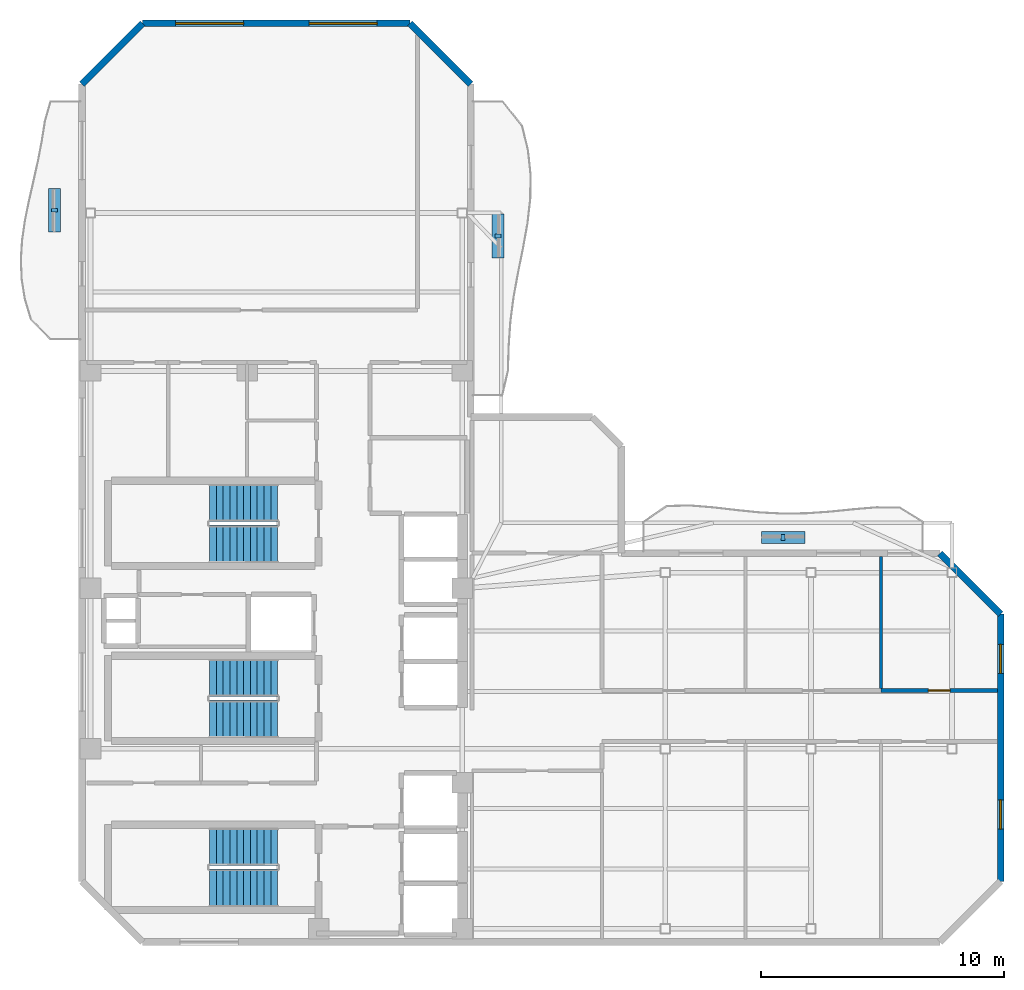
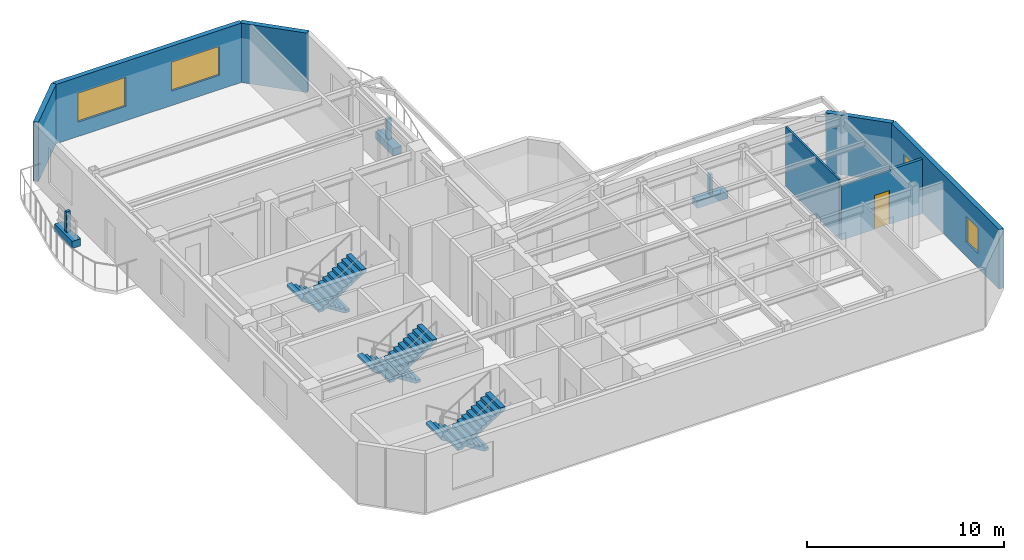
# One storey, part 5 of 7: 7 walls, 6 discrete accessories, 6 stair flights, 4 windows, 1 door, 5 openings, 3 elements without a shape of their own.
"""IFC4 building model written with IfcOpenShell, lengths in metres."""

from ifc_helpers import new_model, si_unit, direction, frame, frame_2d, origin, origin_2d, place, context, subcontext, project, spatial, polyline, rectangle, outline, extrude, material, layer, layer_set, type_object, element, fill, aggregate, save


model = new_model("IFC4")

# Units and contexts
model_context = context("Model", 3, precision=1e-05, world=origin(), true_north=direction((0.0, 1.0)))
body_context = subcontext(model_context, "Body", "Model", "MODEL_VIEW")
ifc_project = project(units=[si_unit("LENGTHUNIT", "METRE"), si_unit("AREAUNIT", "SQUARE_METRE"), si_unit("VOLUMEUNIT", "CUBIC_METRE"), si_unit("PLANEANGLEUNIT", "RADIAN"), si_unit("MASSUNIT", "GRAM", prefix="KILO")], contexts=[model_context])

# Site, building, storey
site_placement = place(None, origin())
site = spatial("IfcSite", under=ifc_project, at=site_placement, CompositionType="ELEMENT")
building_placement = place(site_placement, origin())
building = spatial("IfcBuilding", under=site, at=building_placement, Name="Mawjaban Terraces University", CompositionType="ELEMENT")
storey_placement = place(building_placement, frame((0.0, 0.0, 287.199951171875)))
storey = spatial("IfcBuildingStorey", under=building, at=storey_placement, Name="L70", CompositionType="ELEMENT", Elevation=287.199951171875)

# Wall, opening, door
ifc_material_1 = material(Name="Fire-rated gypsum board on steel stud", Category="steel")
ifc_layer_1 = layer(ifc_material_1, 0.159912109375)
ifc_layer_set_1 = layer_set([ifc_layer_1], Name="Fire-rated gypsum board on steel stud")
wall_type_1 = type_object("IfcWallType", Name="CorridorPartition_160", PredefinedType="PARTITIONING", material=ifc_layer_set_1)
wall_1_placement = place(storey_placement, frame((59.6669921875, 10.35009765625, 0.0), z_axis=(0.0, 0.0, 1.0), x_axis=(-1.0, 0.0, 0.0)))
wall_1 = element("IfcWall", 1, at=wall_1_placement, inside=storey, type_object=wall_type_1, Name="L70 Upper East Research Corridor Partition 22", PredefinedType="PARTITIONING", context=body_context, shape_type="SweptSolid", body=[
    extrude(rectangle(XDim=4.787109375, YDim=0.159912109375, at=frame_2d((2.3935546875, 0.0))), origin(), (0.0, 0.0, 1.0), 3.3720703125),
])
opening_1_placement = place(wall_1_placement, frame((1.943115234375, 0.0, 0.0)))
opening_1 = element("IfcOpeningElement", 2, at=opening_1_placement, cuts=wall_1, Name="Opening ID-090", PredefinedType="OPENING", context=body_context, shape_type="SweptSolid", body=[
    extrude(rectangle(XDim=0.89990234375, YDim=2.10009765625, at=frame_2d((0.449951171875, 1.050048828125))), frame((0.0, 0.08984375, 0.0), z_axis=(0.0, -1.0, 0.0), x_axis=(1.0, 0.0, 0.0)), (0.0, 0.0, 1.0), 0.179931640625),
])
ifc_material_2 = material(Name="Powder-coated steel frame and solid acoustic timber leaf", Category="steel")
door_type = type_object("IfcDoorType", Name="OfficeDoor_900x2100", OperationType="NOTDEFINED", PredefinedType="DOOR", material=ifc_material_2)
door_placement = place(opening_1_placement, origin())
door = element("IfcDoor", 3, at=door_placement, inside=storey, type_object=door_type, Name="L70 Seminar Room 7 Door", OperationType="SINGLE_SWING_LEFT", OverallHeight=2.10009765625, OverallWidth=0.89990234375, PredefinedType="DOOR", context=body_context, shape_type="SweptSolid", body=[
    extrude(rectangle(XDim=0.89990234375, YDim=2.10009765625, at=frame_2d((0.449951171875, 1.050048828125))), frame((0.0, 0.02490234375, 0.0), z_axis=(0.0, -1.0, 0.0), x_axis=(1.0, 0.0, 0.0)), (0.0, 0.0, 1.0), 0.050048828125),
])
fill(opening_1, door)

# Wall, openings, windows
ifc_material_3 = material(Name="Insulated terracotta rainscreen on concrete backup C40/50", Category="masonry")
ifc_layer_2 = layer(ifc_material_3, 0.27490234375)
ifc_layer_set_2 = layer_set([ifc_layer_2], Name="Insulated terracotta rainscreen on concrete backup C40/50")
wall_type_2 = type_object("IfcWallType", Name="ExtTerracottaWall_275", PredefinedType="SOLIDWALL", material=ifc_layer_set_2)
wall_2_placement = place(storey_placement, frame((59.800048828125, 2.5, 0.0), z_axis=(0.0, 0.0, 1.0), x_axis=(0.0, 1.0, 0.0)))
wall_2 = element("IfcWall", 4, at=wall_2_placement, inside=storey, type_object=wall_type_2, Name="L70 Exterior Terracotta Wall 3", PredefinedType="SOLIDWALL", context=body_context, shape_type="SweptSolid", body=[
    extrude(rectangle(XDim=11.0, YDim=0.27490234375, at=frame_2d((5.5, 0.0))), origin(), (0.0, 0.0, 1.0), 3.68994140625),
])
opening_2_placement = place(wall_2_placement, frame((2.14990234375, 0.0, 0.89990234375)))
opening_2 = element("IfcOpeningElement", 5, at=opening_2_placement, cuts=wall_2, Name="Opening W-01", PredefinedType="OPENING", context=body_context, shape_type="SweptSolid", body=[
    extrude(rectangle(XDim=1.199951171875, YDim=1.60009765625, at=frame_2d((0.60009765625, 0.800048828125))), frame((0.0, 0.1474609375, 0.0), z_axis=(0.0, -1.0, 0.0), x_axis=(1.0, 0.0, 0.0)), (0.0, 0.0, 1.0), 0.294921875),
])
opening_3_placement = place(wall_2_placement, frame((8.550048828125, 0.0, 0.89990234375)))
opening_3 = element("IfcOpeningElement", 6, at=opening_3_placement, cuts=wall_2, Name="Opening W-01", PredefinedType="OPENING", context=body_context, shape_type="SweptSolid", body=[
    extrude(rectangle(XDim=1.199951171875, YDim=1.60009765625, at=frame_2d((0.60009765625, 0.800048828125))), frame((0.0, 0.1474609375, 0.0), z_axis=(0.0, -1.0, 0.0), x_axis=(1.0, 0.0, 0.0)), (0.0, 0.0, 1.0), 0.294921875),
])
ifc_material_4 = material(Name="Low-E solar-control double glazing in thermally broken aluminium frame", Category="aluminium")
window_type_1 = type_object("IfcWindowType", Name="Win_1200x1600", PartitioningType="SINGLE_PANEL", PredefinedType="WINDOW", material=ifc_material_4)
window_1_placement = place(opening_2_placement, origin())
window_1 = element("IfcWindow", 7, at=window_1_placement, inside=storey, type_object=window_type_1, Name="L70 Facade Window 3.1", OverallHeight=1.60009765625, OverallWidth=1.199951171875, PartitioningType="SINGLE_PANEL", PredefinedType="WINDOW", context=body_context, shape_type="SweptSolid", body=[
    extrude(rectangle(XDim=1.199951171875, YDim=1.60009765625, at=frame_2d((0.60009765625, 0.800048828125))), frame((0.0, 0.030029296875, 0.0), z_axis=(0.0, -1.0, 0.0), x_axis=(1.0, 0.0, 0.0)), (0.0, 0.0, 1.0), 0.06005859375),
])
fill(opening_2, window_1)
window_2_placement = place(opening_3_placement, origin())
window_2 = element("IfcWindow", 8, at=window_2_placement, inside=storey, type_object=window_type_1, Name="L70 Facade Window 3.2", OverallHeight=1.60009765625, OverallWidth=1.199951171875, PartitioningType="SINGLE_PANEL", PredefinedType="WINDOW", context=body_context, shape_type="SweptSolid", body=[
    extrude(rectangle(XDim=1.199951171875, YDim=1.60009765625, at=frame_2d((0.60009765625, 0.800048828125))), frame((0.0, 0.030029296875, 0.0), z_axis=(0.0, -1.0, 0.0), x_axis=(1.0, 0.0, 0.0)), (0.0, 0.0, 1.0), 0.06005859375),
])
fill(opening_3, window_2)

# Walls
for number, where, z_axis, x_axis, name in (
    (9, (59.800048828125, 13.5, 0.0), (0.0, 0.0, 1.0), (-0.707106781187, 0.707106781187, 0.0), "L70 Exterior Terracotta Wall 4"),
    (10, (38.0, 35.300048828125, 0.0), (0.0, 0.0, 1.0), (-0.707106781187, 0.707106781187, 0.0), "L70 Exterior Terracotta Wall 10"),
):
    element("IfcWall", number, at=place(storey_placement, frame(where, z_axis=z_axis, x_axis=x_axis)), inside=storey, type_object=wall_type_2, Name=name, PredefinedType="SOLIDWALL", context=body_context, shape_type="SweptSolid", body=[
        extrude(rectangle(XDim=3.53564453125, YDim=0.27490234375, at=frame_2d((1.767822265625, 0.0))), origin(), (0.0, 0.0, 1.0), 3.68994140625),
    ])

# Wall, openings, windows
wall_3_placement = place(storey_placement, frame((35.5, 37.800048828125, 0.0), z_axis=(0.0, 0.0, 1.0), x_axis=(-1.0, 0.0, 0.0)))
wall_3 = element("IfcWall", 11, at=wall_3_placement, inside=storey, type_object=wall_type_2, Name="L70 Exterior Terracotta Wall 11", PredefinedType="SOLIDWALL", context=body_context, shape_type="SweptSolid", body=[
    extrude(rectangle(XDim=11.0, YDim=0.27490234375, at=frame_2d((5.5, 0.0))), origin(), (0.0, 0.0, 1.0), 3.68994140625),
])
opening_4_placement = place(wall_3_placement, frame((1.35009765625, 0.0, 0.89990234375)))
opening_4 = element("IfcOpeningElement", 12, at=opening_4_placement, cuts=wall_3, Name="Opening W-09", PredefinedType="OPENING", context=body_context, shape_type="SweptSolid", body=[
    extrude(rectangle(XDim=2.800048828125, YDim=1.800048828125, at=frame_2d((1.39990234375, 0.89990234375))), frame((0.0, 0.1474609375, 0.0), z_axis=(0.0, -1.0, 0.0), x_axis=(1.0, 0.0, 0.0)), (0.0, 0.0, 1.0), 0.294921875),
])
opening_5_placement = place(wall_3_placement, frame((6.85009765625, 0.0, 0.89990234375)))
opening_5 = element("IfcOpeningElement", 13, at=opening_5_placement, cuts=wall_3, Name="Opening W-09", PredefinedType="OPENING", context=body_context, shape_type="SweptSolid", body=[
    extrude(rectangle(XDim=2.800048828125, YDim=1.800048828125, at=frame_2d((1.39990234375, 0.89990234375))), frame((0.0, 0.1474609375, 0.0), z_axis=(0.0, -1.0, 0.0), x_axis=(1.0, 0.0, 0.0)), (0.0, 0.0, 1.0), 0.294921875),
])
window_type_2 = type_object("IfcWindowType", Name="Win_2800x1800", PartitioningType="SINGLE_PANEL", PredefinedType="WINDOW", material=ifc_material_4)
window_3_placement = place(opening_4_placement, origin())
window_3 = element("IfcWindow", 14, at=window_3_placement, inside=storey, type_object=window_type_2, Name="L70 Facade Window 11.1", OverallHeight=1.800048828125, OverallWidth=2.800048828125, PartitioningType="SINGLE_PANEL", PredefinedType="WINDOW", context=body_context, shape_type="SweptSolid", body=[
    extrude(rectangle(XDim=2.800048828125, YDim=1.800048828125, at=frame_2d((1.39990234375, 0.89990234375))), frame((0.0, 0.030029296875, 0.0), z_axis=(0.0, -1.0, 0.0), x_axis=(1.0, 0.0, 0.0)), (0.0, 0.0, 1.0), 0.06005859375),
])
fill(opening_4, window_3)
window_4_placement = place(opening_5_placement, origin())
window_4 = element("IfcWindow", 15, at=window_4_placement, inside=storey, type_object=window_type_2, Name="L70 Facade Window 11.2", OverallHeight=1.800048828125, OverallWidth=2.800048828125, PartitioningType="SINGLE_PANEL", PredefinedType="WINDOW", context=body_context, shape_type="SweptSolid", body=[
    extrude(rectangle(XDim=2.800048828125, YDim=1.800048828125, at=frame_2d((1.39990234375, 0.89990234375))), frame((0.0, 0.030029296875, 0.0), z_axis=(0.0, -1.0, 0.0), x_axis=(1.0, 0.0, 0.0)), (0.0, 0.0, 1.0), 0.06005859375),
])
fill(opening_5, window_4)

# Walls
wall_4_placement = place(storey_placement, frame((24.5, 37.800048828125, 0.0), z_axis=(0.0, 0.0, 1.0), x_axis=(-0.707106781187, -0.707106781187, 0.0)))
element("IfcWall", 16, at=wall_4_placement, inside=storey, type_object=wall_type_2, Name="L70 Exterior Terracotta Wall 12", PredefinedType="SOLIDWALL", context=body_context, shape_type="SweptSolid", body=[
    extrude(rectangle(XDim=3.53564453125, YDim=0.27490234375, at=frame_2d((1.767822265625, 0.0))), origin(), (0.0, 0.0, 1.0), 3.68994140625),
])
ifc_material_5 = material(Name="Acoustic operable panel partition", Category="masonry")
ifc_layer_3 = layer(ifc_material_5, 0.110107421875)
ifc_layer_set_3 = layer_set([ifc_layer_3], Name="Acoustic operable panel partition")
wall_type_3 = type_object("IfcWallType", Name="OperableSeminarWall_110", PredefinedType="MOVABLE", material=ifc_layer_set_3)
wall_5_placement = place(storey_placement, frame((54.8798828125, 10.425048828125, 0.0), z_axis=(0.0, 0.0, 1.0), x_axis=(0.0, 1.0, 0.0)))
element("IfcWall", 17, at=wall_5_placement, inside=storey, type_object=wall_type_3, Name="L70 Collaborative Study Room 5 Partition 44", PredefinedType="MOVABLE", context=body_context, shape_type="SweptSolid", body=[
    extrude(rectangle(XDim=5.44189453125, YDim=0.110107421875, at=frame_2d((2.720947265625, 0.0))), origin(), (0.0, 0.0, 1.0), 3.68994140625),
])

# Stair, stair flights
ifc_material_6 = material(Name="Concrete C40/50", Category="concrete")
stair_type = type_object("IfcStairType", Name="Stair_Core1550_H39", PredefinedType="HALF_TURN_STAIR", material=ifc_material_6)
stair_1_placement = place(storey_placement, origin())
stair_1 = element("IfcStair", 18, at=stair_1_placement, inside=storey, type_object=stair_type, Name="L70 Core Exit Stair 1", PredefinedType="HALF_TURN_STAIR")
stair_flight_type = type_object("IfcStairFlightType", Name="Flight_Core1550_H39", PredefinedType="STRAIGHT", material=ifc_material_6)
stair_flight_1_placement = place(storey_placement, frame((30.050048828125, 3.925048828125, 0.0), z_axis=(0.0, 0.0, 1.0), x_axis=(-1.0, 0.0, 0.0)))
stair_flight_1 = element("IfcStairFlight", 19, at=stair_flight_1_placement, type_object=stair_flight_type, Name="ST-1 flight 1", NumberOfRisers=11, NumberOfTreads=10, PredefinedType="STRAIGHT", RiserHeight=0.177272727, TreadLength=0.28, context=body_context, shape_type="SweptSolid", body=[
    extrude(outline(polyline([(0.0, 0.0), (0.0, 0.17724609375), (0.280029296875, 0.17724609375), (0.280029296875, 0.3544921875), (0.56005859375, 0.3544921875), (0.56005859375, 0.53173828125), (0.840087890625, 0.53173828125), (0.840087890625, 0.708984375), (1.1201171875, 0.708984375), (1.1201171875, 0.886474609375), (1.39990234375, 0.886474609375), (1.39990234375, 1.063720703125), (1.679931640625, 1.063720703125), (1.679931640625, 1.240966796875), (1.9599609375, 1.240966796875), (1.9599609375, 1.418212890625), (2.239990234375, 1.418212890625), (2.239990234375, 1.595458984375), (2.52001953125, 1.595458984375), (2.52001953125, 1.772705078125), (2.800048828125, 1.772705078125), (2.800048828125, 1.949951171875), (2.800048828125, 1.59521484375), (0.2802734375, 0.0), (0.0, 0.0)])), frame((0.0, 0.77490234375, 0.0), z_axis=(0.0, -1.0, 0.0), x_axis=(1.0, 0.0, 0.0)), (0.0, 0.0, 1.0), 1.550048828125),
])
stair_flight_2_placement = place(storey_placement, frame((27.25, 2.22509765625, 1.949951171875), z_axis=(0.0, 0.0, 1.0), x_axis=(1.0, 0.0, 0.0)))
stair_flight_2 = element("IfcStairFlight", 20, at=stair_flight_2_placement, type_object=stair_flight_type, Name="ST-1 flight 2", NumberOfRisers=11, NumberOfTreads=10, PredefinedType="STRAIGHT", RiserHeight=0.177272727, TreadLength=0.28, context=body_context, shape_type="SweptSolid", body=[
    extrude(outline(polyline([(0.0, 0.0), (0.0, 0.17724609375), (0.280029296875, 0.17724609375), (0.280029296875, 0.3544921875), (0.56005859375, 0.3544921875), (0.56005859375, 0.53173828125), (0.840087890625, 0.53173828125), (0.840087890625, 0.708984375), (1.1201171875, 0.708984375), (1.1201171875, 0.886474609375), (1.39990234375, 0.886474609375), (1.39990234375, 1.063720703125), (1.679931640625, 1.063720703125), (1.679931640625, 1.240966796875), (1.9599609375, 1.240966796875), (1.9599609375, 1.418212890625), (2.239990234375, 1.418212890625), (2.239990234375, 1.595458984375), (2.52001953125, 1.595458984375), (2.52001953125, 1.772705078125), (2.800048828125, 1.772705078125), (2.800048828125, 1.949951171875), (2.800048828125, 1.59521484375), (0.2802734375, 0.0), (0.0, 0.0)])), frame((0.0, 0.77490234375, 0.0), z_axis=(0.0, -1.0, 0.0), x_axis=(1.0, 0.0, 0.0)), (0.0, 0.0, 1.0), 1.550048828125),
])
aggregate(stair_1, [stair_flight_1, stair_flight_2])

stair_2_placement = place(storey_placement, origin())
stair_2 = element("IfcStair", 21, at=stair_2_placement, inside=storey, type_object=stair_type, Name="L70 Core Exit Stair 2", PredefinedType="HALF_TURN_STAIR")
stair_flight_3_placement = place(storey_placement, frame((30.050048828125, 18.074951171875, 0.0), z_axis=(0.0, 0.0, 1.0), x_axis=(-1.0, 0.0, 0.0)))
stair_flight_3 = element("IfcStairFlight", 22, at=stair_flight_3_placement, type_object=stair_flight_type, Name="ST-2 flight 1", NumberOfRisers=11, NumberOfTreads=10, PredefinedType="STRAIGHT", RiserHeight=0.177272727, TreadLength=0.28, context=body_context, shape_type="SweptSolid", body=[
    extrude(outline(polyline([(0.0, 0.0), (0.0, 0.17724609375), (0.280029296875, 0.17724609375), (0.280029296875, 0.3544921875), (0.56005859375, 0.3544921875), (0.56005859375, 0.53173828125), (0.840087890625, 0.53173828125), (0.840087890625, 0.708984375), (1.1201171875, 0.708984375), (1.1201171875, 0.886474609375), (1.39990234375, 0.886474609375), (1.39990234375, 1.063720703125), (1.679931640625, 1.063720703125), (1.679931640625, 1.240966796875), (1.9599609375, 1.240966796875), (1.9599609375, 1.418212890625), (2.239990234375, 1.418212890625), (2.239990234375, 1.595458984375), (2.52001953125, 1.595458984375), (2.52001953125, 1.772705078125), (2.800048828125, 1.772705078125), (2.800048828125, 1.949951171875), (2.800048828125, 1.59521484375), (0.2802734375, 0.0), (0.0, 0.0)])), frame((0.0, 0.77490234375, 0.0), z_axis=(0.0, -1.0, 0.0), x_axis=(1.0, 0.0, 0.0)), (0.0, 0.0, 1.0), 1.550048828125),
])
stair_flight_4_placement = place(storey_placement, frame((27.25, 16.375, 1.949951171875), z_axis=(0.0, 0.0, 1.0), x_axis=(1.0, 0.0, 0.0)))
stair_flight_4 = element("IfcStairFlight", 23, at=stair_flight_4_placement, type_object=stair_flight_type, Name="ST-2 flight 2", NumberOfRisers=11, NumberOfTreads=10, PredefinedType="STRAIGHT", RiserHeight=0.177272727, TreadLength=0.28, context=body_context, shape_type="SweptSolid", body=[
    extrude(outline(polyline([(0.0, 0.0), (0.0, 0.17724609375), (0.280029296875, 0.17724609375), (0.280029296875, 0.3544921875), (0.56005859375, 0.3544921875), (0.56005859375, 0.53173828125), (0.840087890625, 0.53173828125), (0.840087890625, 0.708984375), (1.1201171875, 0.708984375), (1.1201171875, 0.886474609375), (1.39990234375, 0.886474609375), (1.39990234375, 1.063720703125), (1.679931640625, 1.063720703125), (1.679931640625, 1.240966796875), (1.9599609375, 1.240966796875), (1.9599609375, 1.418212890625), (2.239990234375, 1.418212890625), (2.239990234375, 1.595458984375), (2.52001953125, 1.595458984375), (2.52001953125, 1.772705078125), (2.800048828125, 1.772705078125), (2.800048828125, 1.949951171875), (2.800048828125, 1.59521484375), (0.2802734375, 0.0), (0.0, 0.0)])), frame((0.0, 0.77490234375, 0.0), z_axis=(0.0, -1.0, 0.0), x_axis=(1.0, 0.0, 0.0)), (0.0, 0.0, 1.0), 1.550048828125),
])
aggregate(stair_2, [stair_flight_3, stair_flight_4])

stair_3_placement = place(storey_placement, origin())
stair_3 = element("IfcStair", 24, at=stair_3_placement, inside=storey, type_object=stair_type, Name="L70 Core Exit Stair 3", PredefinedType="HALF_TURN_STAIR")
stair_flight_5_placement = place(storey_placement, frame((30.050048828125, 10.875, 0.0), z_axis=(0.0, 0.0, 1.0), x_axis=(-1.0, 0.0, 0.0)))
stair_flight_5 = element("IfcStairFlight", 25, at=stair_flight_5_placement, type_object=stair_flight_type, Name="ST-3 flight 1", NumberOfRisers=11, NumberOfTreads=10, PredefinedType="STRAIGHT", RiserHeight=0.177272727, TreadLength=0.28, context=body_context, shape_type="SweptSolid", body=[
    extrude(outline(polyline([(0.0, 0.0), (0.0, 0.17724609375), (0.280029296875, 0.17724609375), (0.280029296875, 0.3544921875), (0.56005859375, 0.3544921875), (0.56005859375, 0.53173828125), (0.840087890625, 0.53173828125), (0.840087890625, 0.708984375), (1.1201171875, 0.708984375), (1.1201171875, 0.886474609375), (1.39990234375, 0.886474609375), (1.39990234375, 1.063720703125), (1.679931640625, 1.063720703125), (1.679931640625, 1.240966796875), (1.9599609375, 1.240966796875), (1.9599609375, 1.418212890625), (2.239990234375, 1.418212890625), (2.239990234375, 1.595458984375), (2.52001953125, 1.595458984375), (2.52001953125, 1.772705078125), (2.800048828125, 1.772705078125), (2.800048828125, 1.949951171875), (2.800048828125, 1.59521484375), (0.2802734375, 0.0), (0.0, 0.0)])), frame((0.0, 0.77490234375, 0.0), z_axis=(0.0, -1.0, 0.0), x_axis=(1.0, 0.0, 0.0)), (0.0, 0.0, 1.0), 1.550048828125),
])
stair_flight_6_placement = place(storey_placement, frame((27.25, 9.175048828125, 1.949951171875), z_axis=(0.0, 0.0, 1.0), x_axis=(1.0, 0.0, 0.0)))
stair_flight_6 = element("IfcStairFlight", 26, at=stair_flight_6_placement, type_object=stair_flight_type, Name="ST-3 flight 2", NumberOfRisers=11, NumberOfTreads=10, PredefinedType="STRAIGHT", RiserHeight=0.177272727, TreadLength=0.28, context=body_context, shape_type="SweptSolid", body=[
    extrude(outline(polyline([(0.0, 0.0), (0.0, 0.17724609375), (0.280029296875, 0.17724609375), (0.280029296875, 0.3544921875), (0.56005859375, 0.3544921875), (0.56005859375, 0.53173828125), (0.840087890625, 0.53173828125), (0.840087890625, 0.708984375), (1.1201171875, 0.708984375), (1.1201171875, 0.886474609375), (1.39990234375, 0.886474609375), (1.39990234375, 1.063720703125), (1.679931640625, 1.063720703125), (1.679931640625, 1.240966796875), (1.9599609375, 1.240966796875), (1.9599609375, 1.418212890625), (2.239990234375, 1.418212890625), (2.239990234375, 1.595458984375), (2.52001953125, 1.595458984375), (2.52001953125, 1.772705078125), (2.800048828125, 1.772705078125), (2.800048828125, 1.949951171875), (2.800048828125, 1.59521484375), (0.2802734375, 0.0), (0.0, 0.0)])), frame((0.0, 0.77490234375, 0.0), z_axis=(0.0, -1.0, 0.0), x_axis=(1.0, 0.0, 0.0)), (0.0, 0.0, 1.0), 1.550048828125),
])
aggregate(stair_3, [stair_flight_5, stair_flight_6])

# Discrete accessories
ifc_material_7 = material(Name="Stainless steel 316L", Category="steel")
discrete_accessory_type_1 = type_object("IfcDiscreteAccessoryType", Name="FacadeScreenBracket_Steel", PredefinedType="BRACKET", material=ifc_material_7)
for number, where, z_axis, x_axis, name in (
    (27, (20.868896484375, 30.10791015625, 0.419921875), (0.0, 0.0, 1.0), (0.0, 1.0, 0.0), "L70 Balcony Screen Support Bracket west"),
    (28, (50.85009765625, 16.64501953125, 0.419921875), (0.0, 0.0, 1.0), (1.0, 0.0, 0.0), "L70 Balcony Screen Support Bracket inner_north"),
    (29, (39.117919921875, 29.053955078125, 0.419921875), (0.0, 0.0, 1.0), (0.0, 1.0, 0.0), "L70 Balcony Screen Support Bracket inner_east"),
):
    element("IfcDiscreteAccessory", number, at=place(storey_placement, frame(where, z_axis=z_axis, x_axis=x_axis)), inside=storey, type_object=discrete_accessory_type_1, Name=name, PredefinedType="BRACKET", context=body_context, shape_type="SweptSolid", body=[
        extrude(rectangle(XDim=0.159912109375, YDim=0.239990234375, at=origin_2d()), origin(), (0.0, 0.0, 1.0), 1.300048828125),
    ])
ifc_material_8 = material(Name="Precast architectural terracotta planter with engineered planting soil", Category="masonry")
discrete_accessory_type_2 = type_object("IfcDiscreteAccessoryType", Name="IrrigatedPlanterTrough_450", PredefinedType="USERDEFINED", material=ifc_material_8)
for number, where, z_axis, x_axis, name in (
    (30, (20.868896484375, 30.10791015625, -0.0048828125), (0.0, 0.0, 1.0), (0.0, 1.0, 0.0), "L70 Balcony Irrigated Planter west"),
    (31, (50.85009765625, 16.64501953125, -0.0048828125), (0.0, 0.0, 1.0), (1.0, 0.0, 0.0), "L70 Balcony Irrigated Planter inner_north"),
    (32, (39.117919921875, 29.053955078125, -0.0048828125), (0.0, 0.0, 1.0), (0.0, 1.0, 0.0), "L70 Balcony Irrigated Planter inner_east"),
):
    element("IfcDiscreteAccessory", number, at=place(storey_placement, frame(where, z_axis=z_axis, x_axis=x_axis)), inside=storey, type_object=discrete_accessory_type_2, Name=name, ObjectType="PLANTER", PredefinedType="USERDEFINED", context=body_context, shape_type="SweptSolid", body=[
        extrude(rectangle(XDim=1.800048828125, YDim=0.5, at=origin_2d()), origin(), (0.0, 0.0, 1.0), 0.449951171875),
    ])

save(model, "model.ifc")
